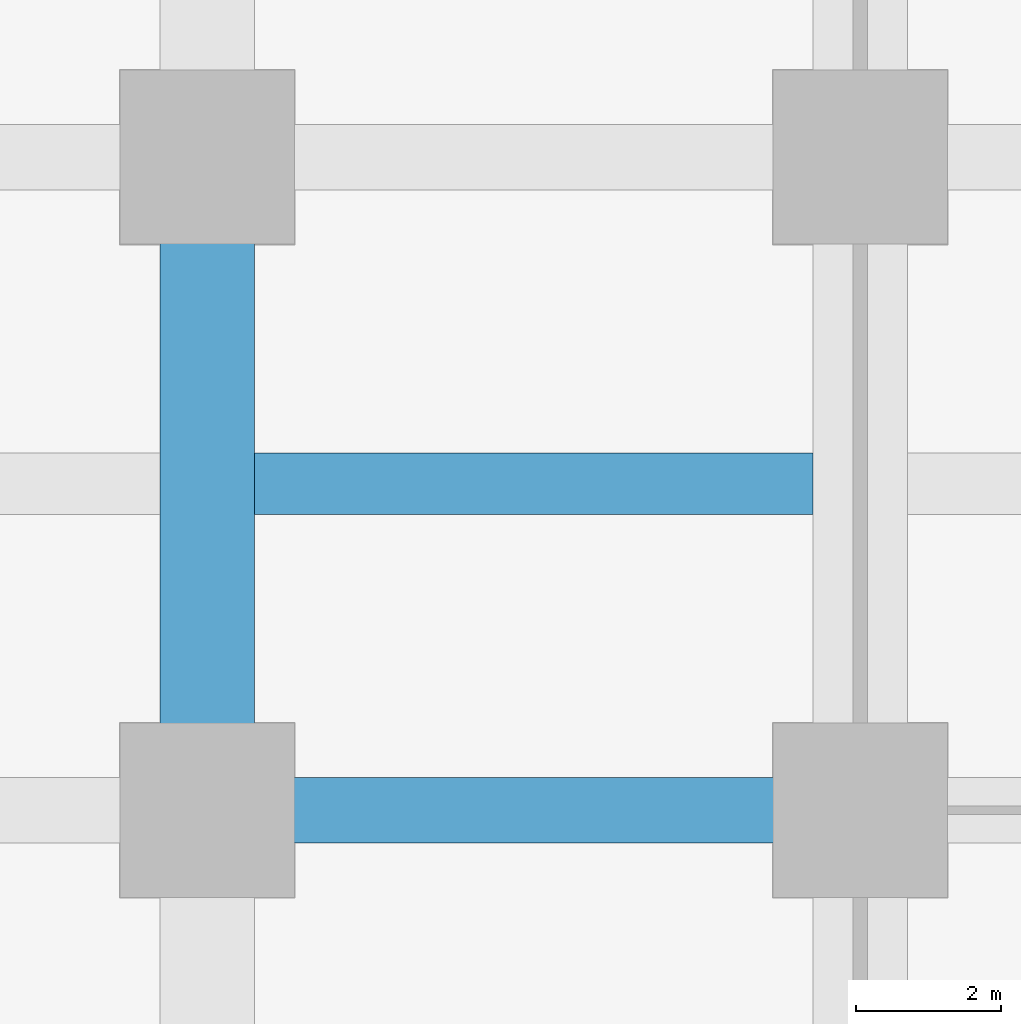
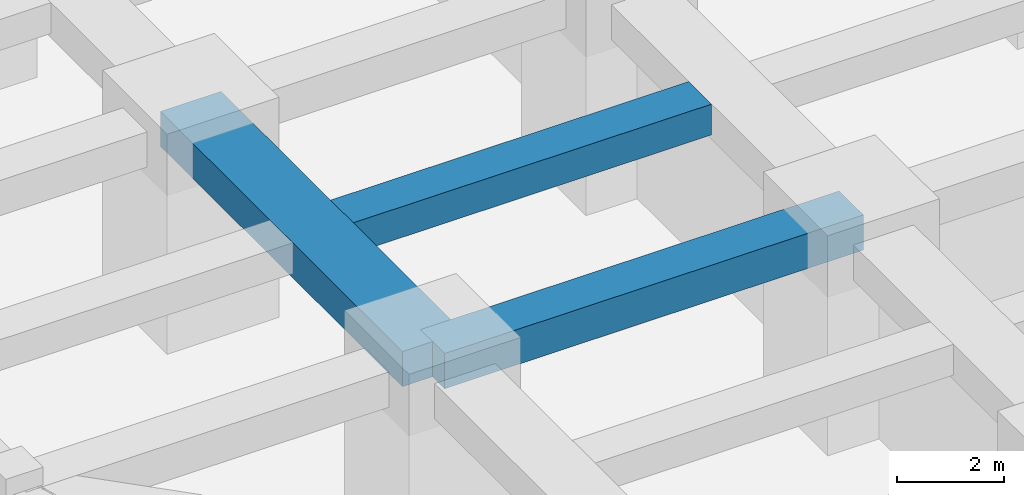
# One storey, part 5 of 46: 3 beams.
"""IFC4 building model written with IfcOpenShell, lengths in metres."""

from ifc_helpers import new_model, si_unit, direction, frame, origin, origin_2d, place, context, subcontext, project, spatial, rectangle, extrude, material, material_profile, profile_set, type_object, element, save


model = new_model("IFC4")

# Units and contexts
model_context = context("Model", 3, precision=1e-05, world=origin(), true_north=direction((0.0, 1.0)))
body_context = subcontext(model_context, "Body", "Model", "MODEL_VIEW")
ifc_project = project(units=[si_unit("LENGTHUNIT", "METRE"), si_unit("AREAUNIT", "SQUARE_METRE"), si_unit("VOLUMEUNIT", "CUBIC_METRE"), si_unit("PLANEANGLEUNIT", "RADIAN"), si_unit("MASSUNIT", "GRAM", prefix="KILO")], contexts=[model_context])

# Site, building, storey
site_placement = place(None, origin())
site = spatial("IfcSite", under=ifc_project, at=site_placement, CompositionType="ELEMENT")
building_placement = place(site_placement, origin())
building = spatial("IfcBuilding", under=site, at=building_placement, Name="Zorevar Civic Tower", CompositionType="ELEMENT")
storey_placement = place(building_placement, frame((0.0, 0.0, 10.800048828125)))
storey = spatial("IfcBuildingStorey", under=building, at=storey_placement, Name="L02", CompositionType="ELEMENT", Elevation=10.800048828125)

# Beams
ifc_material_1 = material(Name="Concrete C50/60", Category="concrete")
ifc_material_profile_1 = material_profile(ifc_material_1, rectangle(XDim=1.300048828125, YDim=0.800048828125, at=origin_2d()), Name="RC 1300x800")
ifc_profile_set_1 = profile_set([ifc_material_profile_1], Name="Concrete C50/60")
beam_type_1 = type_object("IfcBeamType", Name="Beam RC 1300x800", PredefinedType="BEAM", material=ifc_profile_set_1)
beam_1_placement = place(storey_placement, frame((0.0, 9.0, 4.199951171875), z_axis=(0.0, 1.0, 0.0), x_axis=(-1.0, 0.0, 0.0)))
element("IfcBeam", 1, at=beam_1_placement, inside=storey, type_object=beam_type_1, Name="Girder L03", PredefinedType="BEAM", context=body_context, shape_type="SweptSolid", body=[
    extrude(rectangle(XDim=1.300048828125, YDim=0.800048828125, at=origin_2d()), origin(), (0.0, 0.0, 1.0), 9.0),
])
ifc_material_2 = material(Name="Concrete C50/60", Category="concrete")
ifc_material_profile_2 = material_profile(ifc_material_2, rectangle(XDim=0.85009765625, YDim=0.699951171875, at=origin_2d()), Name="RC 850x700")
ifc_profile_set_2 = profile_set([ifc_material_profile_2], Name="Concrete C50/60")
beam_type_2 = type_object("IfcBeamType", Name="Beam RC 850x700", PredefinedType="BEAM", material=ifc_profile_set_2)
beam_2_placement = place(storey_placement, frame((0.64990234375, 13.5, 4.25), z_axis=(1.0, 0.0, 0.0), x_axis=(0.0, 1.0, 0.0)))
element("IfcBeam", 2, at=beam_2_placement, inside=storey, type_object=beam_type_2, Name="Secondary beam L03", PredefinedType="BEAM", context=body_context, shape_type="SweptSolid", body=[
    extrude(rectangle(XDim=0.85009765625, YDim=0.699951171875, at=origin_2d()), origin(), (0.0, 0.0, 1.0), 7.7001953125),
])
ifc_material_3 = material(Name="Concrete C50/60", Category="concrete")
ifc_material_profile_3 = material_profile(ifc_material_3, rectangle(XDim=0.89990234375, YDim=0.800048828125, at=origin_2d()), Name="RC 900x800")
ifc_profile_set_3 = profile_set([ifc_material_profile_3], Name="Concrete C50/60")
beam_type_3 = type_object("IfcBeamType", Name="Beam RC 900x800", PredefinedType="BEAM", material=ifc_profile_set_3)
beam_3_placement = place(storey_placement, frame((0.0, 9.0, 4.199951171875), z_axis=(1.0, 0.0, 0.0), x_axis=(0.0, 1.0, 0.0)))
element("IfcBeam", 3, at=beam_3_placement, inside=storey, type_object=beam_type_3, Name="Girder L03", PredefinedType="BEAM", context=body_context, shape_type="SweptSolid", body=[
    extrude(rectangle(XDim=0.89990234375, YDim=0.800048828125, at=origin_2d()), origin(), (0.0, 0.0, 1.0), 9.0),
])

save(model, "model.ifc")
